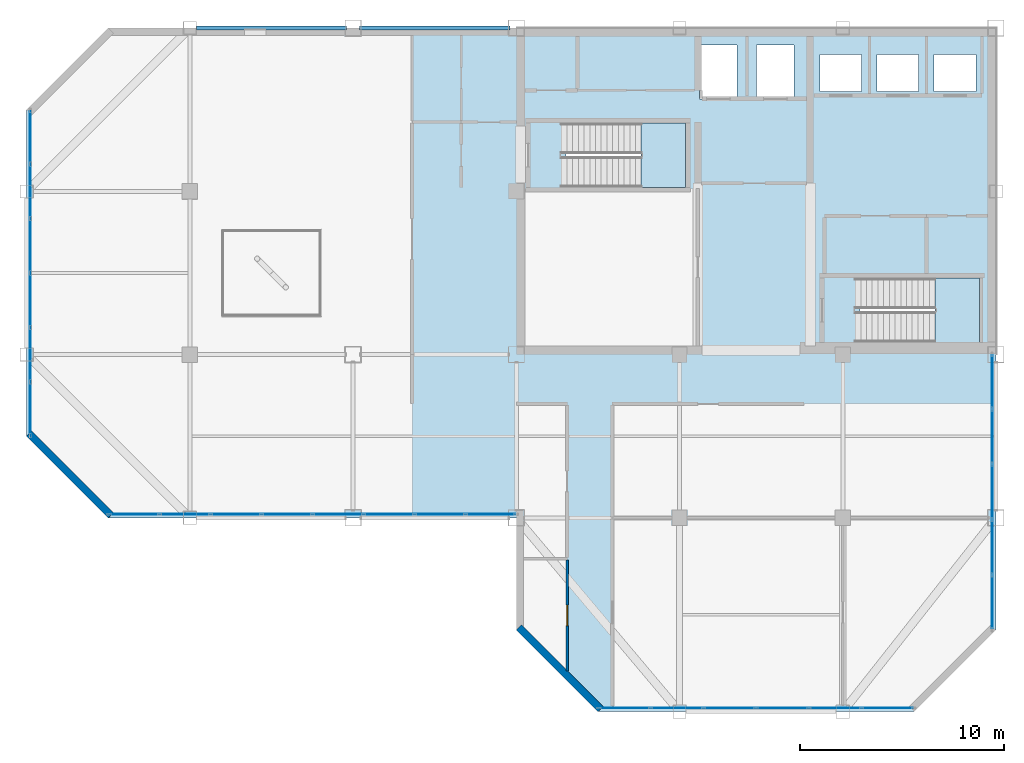
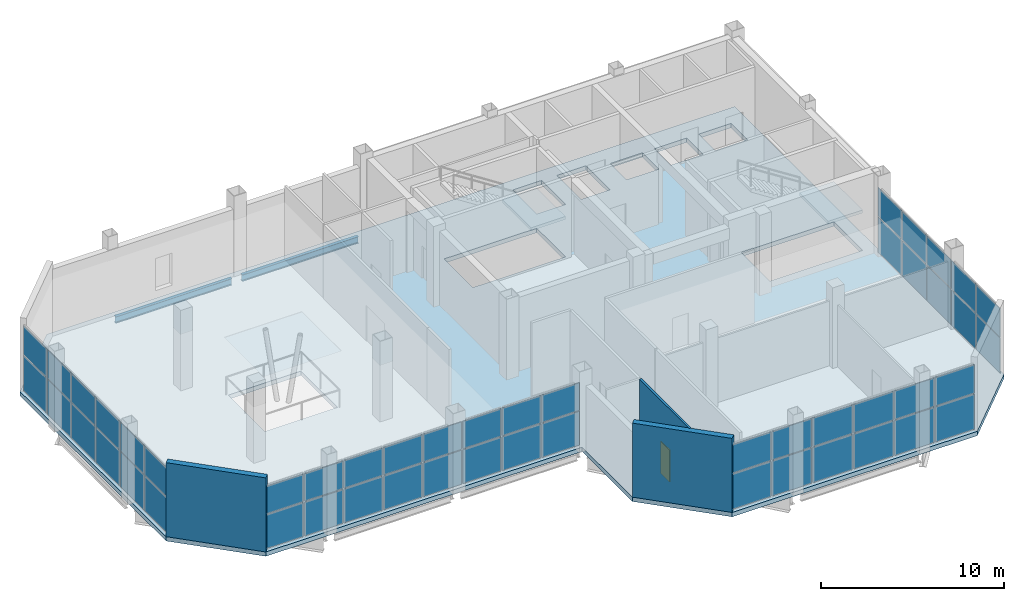
# One storey, part 11 of 16: 50 plates, 3 slabs, 3 walls, 2 beams, 1 door, 1 opening, 6 elements without a shape of their own.
"""IFC4 building model written with IfcOpenShell, lengths in metres."""

from ifc_helpers import new_model, si_unit, direction, frame, frame_2d, origin, origin_2d, place, context, subcontext, project, spatial, polyline, rectangle, i_section, outline, extrude, material, layer, layer_set, material_profile, profile_set, type_object, element, fill, aggregate, save


model = new_model("IFC4")

# Units and contexts
model_context = context("Model", 3, precision=1e-05, world=origin(), true_north=direction((0.0, 1.0)))
body_context = subcontext(model_context, "Body", "Model", "MODEL_VIEW")
ifc_project = project(units=[si_unit("LENGTHUNIT", "METRE"), si_unit("AREAUNIT", "SQUARE_METRE"), si_unit("VOLUMEUNIT", "CUBIC_METRE"), si_unit("PLANEANGLEUNIT", "RADIAN"), si_unit("MASSUNIT", "GRAM", prefix="KILO")], contexts=[model_context])

# Site, building, storey
site_placement = place(None, origin())
site = spatial("IfcSite", under=ifc_project, at=site_placement, CompositionType="ELEMENT")
building_placement = place(site_placement, origin())
building = spatial("IfcBuilding", under=site, at=building_placement, Name="Qianrong Seaharbour Tower", CompositionType="ELEMENT")
storey_placement = place(building_placement, frame((0.0, 0.0, 378.39990234375)))
storey = spatial("IfcBuildingStorey", under=building, at=storey_placement, Name="L91", CompositionType="ELEMENT", Elevation=378.39990234375)

# Beams
ifc_material_1 = material(Name="Structural steel SN400B", Category="steel")
ifc_material_profile = material_profile(ifc_material_1, i_section(OverallWidth=0.199951171875, OverallDepth=0.449951171875, WebThickness=0.009033203125, FlangeThickness=0.013916015625, FilletRadius=0.01806640625, at=origin_2d()), Name="H450x200x9x14")
ifc_profile_set = profile_set([ifc_material_profile], Name="Structural steel SN400B")
beam_type = type_object("IfcBeamType", Name="BM-SP-450", PredefinedType="SPANDREL", material=ifc_profile_set)
for number, where, z_axis, x_axis, name in (
    (1, (24.820068359375, 52.0, -0.514892578125), (1.0, 0.0, 0.0), (0.0, 1.0, 0.0), "L91 Spandrel Girder GH G4-G5"),
    (2, (32.820068359375, 52.0, -0.514892578125), (1.0, 0.0, 0.0), (0.0, 1.0, 0.0), "L91 Spandrel Girder GH G5-G6"),
):
    element("IfcBeam", number, at=place(storey_placement, frame(where, z_axis=z_axis, x_axis=x_axis)), inside=storey, type_object=beam_type, Name=name, PredefinedType="SPANDREL", context=body_context, shape_type="SweptSolid", body=[
        extrude(i_section(OverallWidth=0.199951171875, OverallDepth=0.449951171875, WebThickness=0.009033203125, FlangeThickness=0.013916015625, FilletRadius=0.01806640625, at=origin_2d()), origin(), (0.0, 0.0, 1.0), 7.35986328125),
    ])

# Curtain wall, plates
ifc_material_2 = material(Name="Anodised aluminium 6063-T6 and laminated low-e glass", Category="aluminium")
ifc_layer_1 = layer(ifc_material_2, 0.239990234375)
ifc_layer_set_1 = layer_set([ifc_layer_1], Name="Anodised aluminium 6063-T6 and laminated low-e glass")
curtain_wall_type = type_object("IfcCurtainWallType", Name="CW-SYS-6", PredefinedType="NOTDEFINED", material=ifc_layer_set_1)
curtain_wall_1_placement = place(storey_placement, origin())
curtain_wall_1 = element("IfcCurtainWall", 3, at=curtain_wall_1_placement, inside=storey, type_object=curtain_wall_type, Name="L91 TMD Exhibition Lantern Translucent Curtain Wall HARBOUR_RIBBON", PredefinedType="NOTDEFINED")
ifc_material_3 = material(Name="Translucent frosted laminated lantern glass", Category="glass")
ifc_layer_2 = layer(ifc_material_3, 0.0380859375)
ifc_layer_set_2 = layer_set([ifc_layer_2], Name="Translucent frosted laminated lantern glass")
plate_type = type_object("IfcPlateType", Name="CW-PAN-LANTERN-38", PredefinedType="CURTAIN_PANEL", material=ifc_layer_set_2)
plate_1_placement = place(storey_placement, frame((39.248779296875, 28.179931640625, 0.0703125), z_axis=(0.0, 0.0, 1.0), x_axis=(-1.0, 0.0, 0.0)))
plate_1 = element("IfcPlate", 4, at=plate_1_placement, type_object=plate_type, Name="CW-6 panel 1.1", PredefinedType="CURTAIN_PANEL", context=body_context, shape_type="SweptSolid", body=[
    extrude(rectangle(XDim=2.382568359375, YDim=0.0380859375, at=origin_2d()), origin(), (0.0, 0.0, 1.0), 2.265380859375),
])
plate_2_placement = place(storey_placement, frame((39.248779296875, 28.179931640625, 2.405517578125), z_axis=(0.0, 0.0, 1.0), x_axis=(-1.0, 0.0, 0.0)))
plate_2 = element("IfcPlate", 5, at=plate_2_placement, type_object=plate_type, Name="CW-6 panel 1.2", PredefinedType="CURTAIN_PANEL", context=body_context, shape_type="SweptSolid", body=[
    extrude(rectangle(XDim=2.382568359375, YDim=0.0380859375, at=origin_2d()), origin(), (0.0, 0.0, 1.0), 1.83447265625),
])
plate_3_placement = place(storey_placement, frame((36.766357421875, 28.179931640625, 0.0703125), z_axis=(0.0, 0.0, 1.0), x_axis=(-1.0, 0.0, 0.0)))
plate_3 = element("IfcPlate", 6, at=plate_3_placement, type_object=plate_type, Name="CW-6 panel 2.1", PredefinedType="CURTAIN_PANEL", context=body_context, shape_type="SweptSolid", body=[
    extrude(rectangle(XDim=2.422607421875, YDim=0.0380859375, at=origin_2d()), origin(), (0.0, 0.0, 1.0), 2.265380859375),
])
plate_4_placement = place(storey_placement, frame((36.766357421875, 28.179931640625, 2.405517578125), z_axis=(0.0, 0.0, 1.0), x_axis=(-1.0, 0.0, 0.0)))
plate_4 = element("IfcPlate", 7, at=plate_4_placement, type_object=plate_type, Name="CW-6 panel 2.2", PredefinedType="CURTAIN_PANEL", context=body_context, shape_type="SweptSolid", body=[
    extrude(rectangle(XDim=2.422607421875, YDim=0.0380859375, at=origin_2d()), origin(), (0.0, 0.0, 1.0), 1.83447265625),
])
plate_5_placement = place(storey_placement, frame((34.263671875, 28.179931640625, 0.0703125), z_axis=(0.0, 0.0, 1.0), x_axis=(-1.0, 0.0, 0.0)))
plate_5 = element("IfcPlate", 8, at=plate_5_placement, type_object=plate_type, Name="CW-6 panel 3.1", PredefinedType="CURTAIN_PANEL", context=body_context, shape_type="SweptSolid", body=[
    extrude(rectangle(XDim=2.422607421875, YDim=0.0380859375, at=origin_2d()), origin(), (0.0, 0.0, 1.0), 2.265380859375),
])
plate_6_placement = place(storey_placement, frame((34.263671875, 28.179931640625, 2.405517578125), z_axis=(0.0, 0.0, 1.0), x_axis=(-1.0, 0.0, 0.0)))
plate_6 = element("IfcPlate", 9, at=plate_6_placement, type_object=plate_type, Name="CW-6 panel 3.2", PredefinedType="CURTAIN_PANEL", context=body_context, shape_type="SweptSolid", body=[
    extrude(rectangle(XDim=2.422607421875, YDim=0.0380859375, at=origin_2d()), origin(), (0.0, 0.0, 1.0), 1.83447265625),
])
plate_7_placement = place(storey_placement, frame((31.76123046875, 28.179931640625, 0.0703125), z_axis=(0.0, 0.0, 1.0), x_axis=(-1.0, 0.0, 0.0)))
plate_7 = element("IfcPlate", 10, at=plate_7_placement, type_object=plate_type, Name="CW-6 panel 4.1", PredefinedType="CURTAIN_PANEL", context=body_context, shape_type="SweptSolid", body=[
    extrude(rectangle(XDim=2.422607421875, YDim=0.0380859375, at=origin_2d()), origin(), (0.0, 0.0, 1.0), 2.265380859375),
])
plate_8_placement = place(storey_placement, frame((31.76123046875, 28.179931640625, 2.405517578125), z_axis=(0.0, 0.0, 1.0), x_axis=(-1.0, 0.0, 0.0)))
plate_8 = element("IfcPlate", 11, at=plate_8_placement, type_object=plate_type, Name="CW-6 panel 4.2", PredefinedType="CURTAIN_PANEL", context=body_context, shape_type="SweptSolid", body=[
    extrude(rectangle(XDim=2.422607421875, YDim=0.0380859375, at=origin_2d()), origin(), (0.0, 0.0, 1.0), 1.83447265625),
])
plate_9_placement = place(storey_placement, frame((29.2587890625, 28.179931640625, 0.0703125), z_axis=(0.0, 0.0, 1.0), x_axis=(-1.0, 0.0, 0.0)))
plate_9 = element("IfcPlate", 12, at=plate_9_placement, type_object=plate_type, Name="CW-6 panel 5.1", PredefinedType="CURTAIN_PANEL", context=body_context, shape_type="SweptSolid", body=[
    extrude(rectangle(XDim=2.422607421875, YDim=0.0380859375, at=origin_2d()), origin(), (0.0, 0.0, 1.0), 2.265380859375),
])
plate_10_placement = place(storey_placement, frame((29.2587890625, 28.179931640625, 2.405517578125), z_axis=(0.0, 0.0, 1.0), x_axis=(-1.0, 0.0, 0.0)))
plate_10 = element("IfcPlate", 13, at=plate_10_placement, type_object=plate_type, Name="CW-6 panel 5.2", PredefinedType="CURTAIN_PANEL", context=body_context, shape_type="SweptSolid", body=[
    extrude(rectangle(XDim=2.422607421875, YDim=0.0380859375, at=origin_2d()), origin(), (0.0, 0.0, 1.0), 1.83447265625),
])
plate_11_placement = place(storey_placement, frame((26.75634765625, 28.179931640625, 0.0703125), z_axis=(0.0, 0.0, 1.0), x_axis=(-1.0, 0.0, 0.0)))
plate_11 = element("IfcPlate", 14, at=plate_11_placement, type_object=plate_type, Name="CW-6 panel 6.1", PredefinedType="CURTAIN_PANEL", context=body_context, shape_type="SweptSolid", body=[
    extrude(rectangle(XDim=2.422607421875, YDim=0.0380859375, at=origin_2d()), origin(), (0.0, 0.0, 1.0), 2.265380859375),
])
plate_12_placement = place(storey_placement, frame((26.75634765625, 28.179931640625, 2.405517578125), z_axis=(0.0, 0.0, 1.0), x_axis=(-1.0, 0.0, 0.0)))
plate_12 = element("IfcPlate", 15, at=plate_12_placement, type_object=plate_type, Name="CW-6 panel 6.2", PredefinedType="CURTAIN_PANEL", context=body_context, shape_type="SweptSolid", body=[
    extrude(rectangle(XDim=2.422607421875, YDim=0.0380859375, at=origin_2d()), origin(), (0.0, 0.0, 1.0), 1.83447265625),
])
plate_13_placement = place(storey_placement, frame((24.253662109375, 28.179931640625, 0.0703125), z_axis=(0.0, 0.0, 1.0), x_axis=(-1.0, 0.0, 0.0)))
plate_13 = element("IfcPlate", 16, at=plate_13_placement, type_object=plate_type, Name="CW-6 panel 7.1", PredefinedType="CURTAIN_PANEL", context=body_context, shape_type="SweptSolid", body=[
    extrude(rectangle(XDim=2.422607421875, YDim=0.0380859375, at=origin_2d()), origin(), (0.0, 0.0, 1.0), 2.265380859375),
])
plate_14_placement = place(storey_placement, frame((24.253662109375, 28.179931640625, 2.405517578125), z_axis=(0.0, 0.0, 1.0), x_axis=(-1.0, 0.0, 0.0)))
plate_14 = element("IfcPlate", 17, at=plate_14_placement, type_object=plate_type, Name="CW-6 panel 7.2", PredefinedType="CURTAIN_PANEL", context=body_context, shape_type="SweptSolid", body=[
    extrude(rectangle(XDim=2.422607421875, YDim=0.0380859375, at=origin_2d()), origin(), (0.0, 0.0, 1.0), 1.83447265625),
])
plate_15_placement = place(storey_placement, frame((21.771240234375, 28.179931640625, 0.0703125), z_axis=(0.0, 0.0, 1.0), x_axis=(-1.0, 0.0, 0.0)))
plate_15 = element("IfcPlate", 18, at=plate_15_placement, type_object=plate_type, Name="CW-6 panel 8.1", PredefinedType="CURTAIN_PANEL", context=body_context, shape_type="SweptSolid", body=[
    extrude(rectangle(XDim=2.382568359375, YDim=0.0380859375, at=origin_2d()), origin(), (0.0, 0.0, 1.0), 2.265380859375),
])
plate_16_placement = place(storey_placement, frame((21.771240234375, 28.179931640625, 2.405517578125), z_axis=(0.0, 0.0, 1.0), x_axis=(-1.0, 0.0, 0.0)))
plate_16 = element("IfcPlate", 19, at=plate_16_placement, type_object=plate_type, Name="CW-6 panel 8.2", PredefinedType="CURTAIN_PANEL", context=body_context, shape_type="SweptSolid", body=[
    extrude(rectangle(XDim=2.382568359375, YDim=0.0380859375, at=origin_2d()), origin(), (0.0, 0.0, 1.0), 1.83447265625),
])
aggregate(curtain_wall_1, [plate_1, plate_2, plate_3, plate_4, plate_5, plate_6, plate_7, plate_8, plate_9, plate_10, plate_11, plate_12, plate_13, plate_14, plate_15, plate_16])

curtain_wall_2_placement = place(storey_placement, origin())
curtain_wall_2 = element("IfcCurtainWall", 20, at=curtain_wall_2_placement, inside=storey, type_object=curtain_wall_type, Name="L91 TMD Exhibition Lantern Translucent Curtain Wall WEST_TIP", PredefinedType="NOTDEFINED")
plate_17_placement = place(storey_placement, frame((16.679931640625, 33.353271484375, 0.0703125), z_axis=(0.0, 0.0, 1.0), x_axis=(0.0, 1.0, 0.0)))
plate_17 = element("IfcPlate", 21, at=plate_17_placement, type_object=plate_type, Name="CW-6 panel 1.1", PredefinedType="CURTAIN_PANEL", context=body_context, shape_type="SweptSolid", body=[
    extrude(rectangle(XDim=2.546630859375, YDim=0.0380859375, at=origin_2d()), origin(), (0.0, 0.0, 1.0), 2.347900390625),
])
plate_18_placement = place(storey_placement, frame((16.679931640625, 33.353271484375, 2.48828125), z_axis=(0.0, 0.0, 1.0), x_axis=(0.0, 1.0, 0.0)))
plate_18 = element("IfcPlate", 22, at=plate_18_placement, type_object=plate_type, Name="CW-6 panel 1.2", PredefinedType="CURTAIN_PANEL", context=body_context, shape_type="SweptSolid", body=[
    extrude(rectangle(XDim=2.546630859375, YDim=0.0380859375, at=origin_2d()), origin(), (0.0, 0.0, 1.0), 1.902099609375),
])
plate_19_placement = place(storey_placement, frame((16.679931640625, 36.0, 0.0703125), z_axis=(0.0, 0.0, 1.0), x_axis=(0.0, 1.0, 0.0)))
plate_19 = element("IfcPlate", 23, at=plate_19_placement, type_object=plate_type, Name="CW-6 panel 2.1", PredefinedType="CURTAIN_PANEL", context=body_context, shape_type="SweptSolid", body=[
    extrude(rectangle(XDim=2.586669921875, YDim=0.0380859375, at=origin_2d()), origin(), (0.0, 0.0, 1.0), 2.347900390625),
])
plate_20_placement = place(storey_placement, frame((16.679931640625, 36.0, 2.48828125), z_axis=(0.0, 0.0, 1.0), x_axis=(0.0, 1.0, 0.0)))
plate_20 = element("IfcPlate", 24, at=plate_20_placement, type_object=plate_type, Name="CW-6 panel 2.2", PredefinedType="CURTAIN_PANEL", context=body_context, shape_type="SweptSolid", body=[
    extrude(rectangle(XDim=2.586669921875, YDim=0.0380859375, at=origin_2d()), origin(), (0.0, 0.0, 1.0), 1.902099609375),
])
plate_21_placement = place(storey_placement, frame((16.679931640625, 38.666748046875, 0.0703125), z_axis=(0.0, 0.0, 1.0), x_axis=(0.0, 1.0, 0.0)))
plate_21 = element("IfcPlate", 25, at=plate_21_placement, type_object=plate_type, Name="CW-6 panel 3.1", PredefinedType="CURTAIN_PANEL", context=body_context, shape_type="SweptSolid", body=[
    extrude(rectangle(XDim=2.586669921875, YDim=0.0380859375, at=origin_2d()), origin(), (0.0, 0.0, 1.0), 2.347900390625),
])
plate_22_placement = place(storey_placement, frame((16.679931640625, 38.666748046875, 2.48828125), z_axis=(0.0, 0.0, 1.0), x_axis=(0.0, 1.0, 0.0)))
plate_22 = element("IfcPlate", 26, at=plate_22_placement, type_object=plate_type, Name="CW-6 panel 3.2", PredefinedType="CURTAIN_PANEL", context=body_context, shape_type="SweptSolid", body=[
    extrude(rectangle(XDim=2.586669921875, YDim=0.0380859375, at=origin_2d()), origin(), (0.0, 0.0, 1.0), 1.902099609375),
])
plate_23_placement = place(storey_placement, frame((16.679931640625, 41.333251953125, 0.0703125), z_axis=(0.0, 0.0, 1.0), x_axis=(0.0, 1.0, 0.0)))
plate_23 = element("IfcPlate", 27, at=plate_23_placement, type_object=plate_type, Name="CW-6 panel 4.1", PredefinedType="CURTAIN_PANEL", context=body_context, shape_type="SweptSolid", body=[
    extrude(rectangle(XDim=2.586669921875, YDim=0.0380859375, at=origin_2d()), origin(), (0.0, 0.0, 1.0), 2.347900390625),
])
plate_24_placement = place(storey_placement, frame((16.679931640625, 41.333251953125, 2.48828125), z_axis=(0.0, 0.0, 1.0), x_axis=(0.0, 1.0, 0.0)))
plate_24 = element("IfcPlate", 28, at=plate_24_placement, type_object=plate_type, Name="CW-6 panel 4.2", PredefinedType="CURTAIN_PANEL", context=body_context, shape_type="SweptSolid", body=[
    extrude(rectangle(XDim=2.586669921875, YDim=0.0380859375, at=origin_2d()), origin(), (0.0, 0.0, 1.0), 1.902099609375),
])
plate_25_placement = place(storey_placement, frame((16.679931640625, 44.0, 0.0703125), z_axis=(0.0, 0.0, 1.0), x_axis=(0.0, 1.0, 0.0)))
plate_25 = element("IfcPlate", 29, at=plate_25_placement, type_object=plate_type, Name="CW-6 panel 5.1", PredefinedType="CURTAIN_PANEL", context=body_context, shape_type="SweptSolid", body=[
    extrude(rectangle(XDim=2.586669921875, YDim=0.0380859375, at=origin_2d()), origin(), (0.0, 0.0, 1.0), 2.347900390625),
])
plate_26_placement = place(storey_placement, frame((16.679931640625, 44.0, 2.48828125), z_axis=(0.0, 0.0, 1.0), x_axis=(0.0, 1.0, 0.0)))
plate_26 = element("IfcPlate", 30, at=plate_26_placement, type_object=plate_type, Name="CW-6 panel 5.2", PredefinedType="CURTAIN_PANEL", context=body_context, shape_type="SweptSolid", body=[
    extrude(rectangle(XDim=2.586669921875, YDim=0.0380859375, at=origin_2d()), origin(), (0.0, 0.0, 1.0), 1.902099609375),
])
plate_27_placement = place(storey_placement, frame((16.679931640625, 46.646728515625, 0.0703125), z_axis=(0.0, 0.0, 1.0), x_axis=(0.0, 1.0, 0.0)))
plate_27 = element("IfcPlate", 31, at=plate_27_placement, type_object=plate_type, Name="CW-6 panel 6.1", PredefinedType="CURTAIN_PANEL", context=body_context, shape_type="SweptSolid", body=[
    extrude(rectangle(XDim=2.546630859375, YDim=0.0380859375, at=origin_2d()), origin(), (0.0, 0.0, 1.0), 2.347900390625),
])
plate_28_placement = place(storey_placement, frame((16.679931640625, 46.646728515625, 2.48828125), z_axis=(0.0, 0.0, 1.0), x_axis=(0.0, 1.0, 0.0)))
plate_28 = element("IfcPlate", 32, at=plate_28_placement, type_object=plate_type, Name="CW-6 panel 6.2", PredefinedType="CURTAIN_PANEL", context=body_context, shape_type="SweptSolid", body=[
    extrude(rectangle(XDim=2.546630859375, YDim=0.0380859375, at=origin_2d()), origin(), (0.0, 0.0, 1.0), 1.902099609375),
])
aggregate(curtain_wall_2, [plate_17, plate_18, plate_19, plate_20, plate_21, plate_22, plate_23, plate_24, plate_25, plate_26, plate_27, plate_28])

curtain_wall_3_placement = place(storey_placement, origin())
curtain_wall_3 = element("IfcCurtainWall", 33, at=curtain_wall_3_placement, inside=storey, type_object=curtain_wall_type, Name="L91 TMD Exhibition Lantern Translucent Curtain Wall EAST_WING", PredefinedType="NOTDEFINED")
plate_29_placement = place(storey_placement, frame((63.820068359375, 34.675048828125, 0.0703125), z_axis=(0.0, 0.0, 1.0), x_axis=(0.0, -1.0, 0.0)))
plate_29 = element("IfcPlate", 34, at=plate_29_placement, type_object=plate_type, Name="CW-6 panel 1.1", PredefinedType="CURTAIN_PANEL", context=body_context, shape_type="SweptSolid", body=[
    extrude(rectangle(XDim=2.590087890625, YDim=0.0380859375, at=origin_2d()), origin(), (0.0, 0.0, 1.0), 2.347900390625),
])
plate_30_placement = place(storey_placement, frame((63.820068359375, 34.675048828125, 2.48828125), z_axis=(0.0, 0.0, 1.0), x_axis=(0.0, -1.0, 0.0)))
plate_30 = element("IfcPlate", 35, at=plate_30_placement, type_object=plate_type, Name="CW-6 panel 1.2", PredefinedType="CURTAIN_PANEL", context=body_context, shape_type="SweptSolid", body=[
    extrude(rectangle(XDim=2.590087890625, YDim=0.0380859375, at=origin_2d()), origin(), (0.0, 0.0, 1.0), 1.902099609375),
])
plate_31_placement = place(storey_placement, frame((63.820068359375, 31.985107421875, 0.0703125), z_axis=(0.0, 0.0, 1.0), x_axis=(0.0, -1.0, 0.0)))
plate_31 = element("IfcPlate", 36, at=plate_31_placement, type_object=plate_type, Name="CW-6 panel 2.1", PredefinedType="CURTAIN_PANEL", context=body_context, shape_type="SweptSolid", body=[
    extrude(rectangle(XDim=2.6298828125, YDim=0.0380859375, at=origin_2d()), origin(), (0.0, 0.0, 1.0), 2.347900390625),
])
plate_32_placement = place(storey_placement, frame((63.820068359375, 31.985107421875, 2.48828125), z_axis=(0.0, 0.0, 1.0), x_axis=(0.0, -1.0, 0.0)))
plate_32 = element("IfcPlate", 37, at=plate_32_placement, type_object=plate_type, Name="CW-6 panel 2.2", PredefinedType="CURTAIN_PANEL", context=body_context, shape_type="SweptSolid", body=[
    extrude(rectangle(XDim=2.6298828125, YDim=0.0380859375, at=origin_2d()), origin(), (0.0, 0.0, 1.0), 1.902099609375),
])
plate_33_placement = place(storey_placement, frame((63.820068359375, 29.27490234375, 0.0703125), z_axis=(0.0, 0.0, 1.0), x_axis=(0.0, -1.0, 0.0)))
plate_33 = element("IfcPlate", 38, at=plate_33_placement, type_object=plate_type, Name="CW-6 panel 3.1", PredefinedType="CURTAIN_PANEL", context=body_context, shape_type="SweptSolid", body=[
    extrude(rectangle(XDim=2.6298828125, YDim=0.0380859375, at=origin_2d()), origin(), (0.0, 0.0, 1.0), 2.347900390625),
])
plate_34_placement = place(storey_placement, frame((63.820068359375, 29.27490234375, 2.48828125), z_axis=(0.0, 0.0, 1.0), x_axis=(0.0, -1.0, 0.0)))
plate_34 = element("IfcPlate", 39, at=plate_34_placement, type_object=plate_type, Name="CW-6 panel 3.2", PredefinedType="CURTAIN_PANEL", context=body_context, shape_type="SweptSolid", body=[
    extrude(rectangle(XDim=2.6298828125, YDim=0.0380859375, at=origin_2d()), origin(), (0.0, 0.0, 1.0), 1.902099609375),
])
plate_35_placement = place(storey_placement, frame((63.820068359375, 26.56494140625, 0.0703125), z_axis=(0.0, 0.0, 1.0), x_axis=(0.0, -1.0, 0.0)))
plate_35 = element("IfcPlate", 40, at=plate_35_placement, type_object=plate_type, Name="CW-6 panel 4.1", PredefinedType="CURTAIN_PANEL", context=body_context, shape_type="SweptSolid", body=[
    extrude(rectangle(XDim=2.6298828125, YDim=0.0380859375, at=origin_2d()), origin(), (0.0, 0.0, 1.0), 2.347900390625),
])
plate_36_placement = place(storey_placement, frame((63.820068359375, 26.56494140625, 2.48828125), z_axis=(0.0, 0.0, 1.0), x_axis=(0.0, -1.0, 0.0)))
plate_36 = element("IfcPlate", 41, at=plate_36_placement, type_object=plate_type, Name="CW-6 panel 4.2", PredefinedType="CURTAIN_PANEL", context=body_context, shape_type="SweptSolid", body=[
    extrude(rectangle(XDim=2.6298828125, YDim=0.0380859375, at=origin_2d()), origin(), (0.0, 0.0, 1.0), 1.902099609375),
])
plate_37_placement = place(storey_placement, frame((63.820068359375, 23.875, 0.0703125), z_axis=(0.0, 0.0, 1.0), x_axis=(0.0, -1.0, 0.0)))
plate_37 = element("IfcPlate", 42, at=plate_37_placement, type_object=plate_type, Name="CW-6 panel 5.1", PredefinedType="CURTAIN_PANEL", context=body_context, shape_type="SweptSolid", body=[
    extrude(rectangle(XDim=2.590087890625, YDim=0.0380859375, at=origin_2d()), origin(), (0.0, 0.0, 1.0), 2.347900390625),
])
plate_38_placement = place(storey_placement, frame((63.820068359375, 23.875, 2.48828125), z_axis=(0.0, 0.0, 1.0), x_axis=(0.0, -1.0, 0.0)))
plate_38 = element("IfcPlate", 43, at=plate_38_placement, type_object=plate_type, Name="CW-6 panel 5.2", PredefinedType="CURTAIN_PANEL", context=body_context, shape_type="SweptSolid", body=[
    extrude(rectangle(XDim=2.590087890625, YDim=0.0380859375, at=origin_2d()), origin(), (0.0, 0.0, 1.0), 1.902099609375),
])
aggregate(curtain_wall_3, [plate_29, plate_30, plate_31, plate_32, plate_33, plate_34, plate_35, plate_36, plate_37, plate_38])

curtain_wall_4_placement = place(storey_placement, origin())
curtain_wall_4 = element("IfcCurtainWall", 44, at=curtain_wall_4_placement, inside=storey, type_object=curtain_wall_type, Name="L91 TMD Exhibition Lantern Translucent Curtain Wall SOUTH_TIP", PredefinedType="NOTDEFINED")
plate_39_placement = place(storey_placement, frame((58.688232421875, 18.679931640625, 0.0703125), z_axis=(0.0, 0.0, 1.0), x_axis=(-1.0, 0.0, 0.0)))
plate_39 = element("IfcPlate", 45, at=plate_39_placement, type_object=plate_type, Name="CW-6 panel 1.1", PredefinedType="CURTAIN_PANEL", context=body_context, shape_type="SweptSolid", body=[
    extrude(rectangle(XDim=2.46337890625, YDim=0.0380859375, at=origin_2d()), origin(), (0.0, 0.0, 1.0), 2.347900390625),
])
plate_40_placement = place(storey_placement, frame((58.688232421875, 18.679931640625, 2.48828125), z_axis=(0.0, 0.0, 1.0), x_axis=(-1.0, 0.0, 0.0)))
plate_40 = element("IfcPlate", 46, at=plate_40_placement, type_object=plate_type, Name="CW-6 panel 1.2", PredefinedType="CURTAIN_PANEL", context=body_context, shape_type="SweptSolid", body=[
    extrude(rectangle(XDim=2.46337890625, YDim=0.0380859375, at=origin_2d()), origin(), (0.0, 0.0, 1.0), 1.902099609375),
])
plate_41_placement = place(storey_placement, frame((56.125, 18.679931640625, 0.0703125), z_axis=(0.0, 0.0, 1.0), x_axis=(-1.0, 0.0, 0.0)))
plate_41 = element("IfcPlate", 47, at=plate_41_placement, type_object=plate_type, Name="CW-6 panel 2.1", PredefinedType="CURTAIN_PANEL", context=body_context, shape_type="SweptSolid", body=[
    extrude(rectangle(XDim=2.50341796875, YDim=0.0380859375, at=origin_2d()), origin(), (0.0, 0.0, 1.0), 2.347900390625),
])
plate_42_placement = place(storey_placement, frame((56.125, 18.679931640625, 2.48828125), z_axis=(0.0, 0.0, 1.0), x_axis=(-1.0, 0.0, 0.0)))
plate_42 = element("IfcPlate", 48, at=plate_42_placement, type_object=plate_type, Name="CW-6 panel 2.2", PredefinedType="CURTAIN_PANEL", context=body_context, shape_type="SweptSolid", body=[
    extrude(rectangle(XDim=2.50341796875, YDim=0.0380859375, at=origin_2d()), origin(), (0.0, 0.0, 1.0), 1.902099609375),
])
plate_43_placement = place(storey_placement, frame((53.541748046875, 18.679931640625, 0.0703125), z_axis=(0.0, 0.0, 1.0), x_axis=(-1.0, 0.0, 0.0)))
plate_43 = element("IfcPlate", 49, at=plate_43_placement, type_object=plate_type, Name="CW-6 panel 3.1", PredefinedType="CURTAIN_PANEL", context=body_context, shape_type="SweptSolid", body=[
    extrude(rectangle(XDim=2.50341796875, YDim=0.0380859375, at=origin_2d()), origin(), (0.0, 0.0, 1.0), 2.347900390625),
])
plate_44_placement = place(storey_placement, frame((53.541748046875, 18.679931640625, 2.48828125), z_axis=(0.0, 0.0, 1.0), x_axis=(-1.0, 0.0, 0.0)))
plate_44 = element("IfcPlate", 50, at=plate_44_placement, type_object=plate_type, Name="CW-6 panel 3.2", PredefinedType="CURTAIN_PANEL", context=body_context, shape_type="SweptSolid", body=[
    extrude(rectangle(XDim=2.50341796875, YDim=0.0380859375, at=origin_2d()), origin(), (0.0, 0.0, 1.0), 1.902099609375),
])
plate_45_placement = place(storey_placement, frame((50.958251953125, 18.679931640625, 0.0703125), z_axis=(0.0, 0.0, 1.0), x_axis=(-1.0, 0.0, 0.0)))
plate_45 = element("IfcPlate", 51, at=plate_45_placement, type_object=plate_type, Name="CW-6 panel 4.1", PredefinedType="CURTAIN_PANEL", context=body_context, shape_type="SweptSolid", body=[
    extrude(rectangle(XDim=2.50341796875, YDim=0.0380859375, at=origin_2d()), origin(), (0.0, 0.0, 1.0), 2.347900390625),
])
plate_46_placement = place(storey_placement, frame((50.958251953125, 18.679931640625, 2.48828125), z_axis=(0.0, 0.0, 1.0), x_axis=(-1.0, 0.0, 0.0)))
plate_46 = element("IfcPlate", 52, at=plate_46_placement, type_object=plate_type, Name="CW-6 panel 4.2", PredefinedType="CURTAIN_PANEL", context=body_context, shape_type="SweptSolid", body=[
    extrude(rectangle(XDim=2.50341796875, YDim=0.0380859375, at=origin_2d()), origin(), (0.0, 0.0, 1.0), 1.902099609375),
])
plate_47_placement = place(storey_placement, frame((48.375, 18.679931640625, 0.0703125), z_axis=(0.0, 0.0, 1.0), x_axis=(-1.0, 0.0, 0.0)))
plate_47 = element("IfcPlate", 53, at=plate_47_placement, type_object=plate_type, Name="CW-6 panel 5.1", PredefinedType="CURTAIN_PANEL", context=body_context, shape_type="SweptSolid", body=[
    extrude(rectangle(XDim=2.50341796875, YDim=0.0380859375, at=origin_2d()), origin(), (0.0, 0.0, 1.0), 2.347900390625),
])
plate_48_placement = place(storey_placement, frame((48.375, 18.679931640625, 2.48828125), z_axis=(0.0, 0.0, 1.0), x_axis=(-1.0, 0.0, 0.0)))
plate_48 = element("IfcPlate", 54, at=plate_48_placement, type_object=plate_type, Name="CW-6 panel 5.2", PredefinedType="CURTAIN_PANEL", context=body_context, shape_type="SweptSolid", body=[
    extrude(rectangle(XDim=2.50341796875, YDim=0.0380859375, at=origin_2d()), origin(), (0.0, 0.0, 1.0), 1.902099609375),
])
plate_49_placement = place(storey_placement, frame((45.811767578125, 18.679931640625, 0.0703125), z_axis=(0.0, 0.0, 1.0), x_axis=(-1.0, 0.0, 0.0)))
plate_49 = element("IfcPlate", 55, at=plate_49_placement, type_object=plate_type, Name="CW-6 panel 6.1", PredefinedType="CURTAIN_PANEL", context=body_context, shape_type="SweptSolid", body=[
    extrude(rectangle(XDim=2.46337890625, YDim=0.0380859375, at=origin_2d()), origin(), (0.0, 0.0, 1.0), 2.347900390625),
])
plate_50_placement = place(storey_placement, frame((45.811767578125, 18.679931640625, 2.48828125), z_axis=(0.0, 0.0, 1.0), x_axis=(-1.0, 0.0, 0.0)))
plate_50 = element("IfcPlate", 56, at=plate_50_placement, type_object=plate_type, Name="CW-6 panel 6.2", PredefinedType="CURTAIN_PANEL", context=body_context, shape_type="SweptSolid", body=[
    extrude(rectangle(XDim=2.46337890625, YDim=0.0380859375, at=origin_2d()), origin(), (0.0, 0.0, 1.0), 1.902099609375),
])
aggregate(curtain_wall_4, [plate_39, plate_40, plate_41, plate_42, plate_43, plate_44, plate_45, plate_46, plate_47, plate_48, plate_49, plate_50])

# Slab
ifc_material_4 = material(Name="Concrete C50/60", Category="concrete")
ifc_layer_3 = layer(ifc_material_4, 0.2900390625)
ifc_layer_set_3 = layer_set([ifc_layer_3], Name="Concrete C50/60")
slab_type_1 = type_object("IfcSlabType", Name="SLAB-L91-290", PredefinedType="FLOOR", material=ifc_layer_set_3)
slab_1_placement = place(storey_placement, frame((0.0, 0.0, -0.289794921875)))
element("IfcSlab", 57, at=slab_1_placement, inside=storey, type_object=slab_type_1, Name="L91 Structural Floor Slab", PredefinedType="FLOOR", context=body_context, shape_type="SweptSolid", body=[
    extrude(outline(polyline([(44.5, 18.5), (60.0, 18.5), (64.0, 22.5), (64.0, 52.0), (20.5, 52.0), (16.5, 48.0), (16.5, 32.0), (20.5, 28.0), (40.5, 28.0), (40.5, 22.5), (44.5, 18.5)]), holes=[polyline([(42.93994140625, 44.199951171875), (42.93994140625, 47.35009765625), (48.800048828125, 47.35009765625), (48.800048828125, 44.199951171875), (42.93994140625, 44.199951171875)]), polyline([(57.340087890625, 36.60009765625), (57.340087890625, 39.75), (63.199951171875, 39.75), (63.199951171875, 36.60009765625), (57.340087890625, 36.60009765625)]), polyline([(49.47998046875, 48.530029296875), (49.47998046875, 51.169921875), (51.320068359375, 51.169921875), (51.320068359375, 48.530029296875), (49.47998046875, 48.530029296875)]), polyline([(52.280029296875, 48.530029296875), (52.280029296875, 51.169921875), (54.1201171875, 51.169921875), (54.1201171875, 48.530029296875), (52.280029296875, 48.530029296875)]), polyline([(55.3798828125, 48.89990234375), (55.3798828125, 50.699951171875), (57.419921875, 50.699951171875), (57.419921875, 48.89990234375), (55.3798828125, 48.89990234375)]), polyline([(58.179931640625, 48.89990234375), (58.179931640625, 50.699951171875), (60.219970703125, 50.699951171875), (60.219970703125, 48.89990234375), (58.179931640625, 48.89990234375)]), polyline([(60.97998046875, 48.89990234375), (60.97998046875, 50.699951171875), (63.02001953125, 50.699951171875), (63.02001953125, 48.89990234375), (60.97998046875, 48.89990234375)]), polyline([(26.199951171875, 38.0), (30.800048828125, 38.0), (30.800048828125, 42.0), (26.199951171875, 42.0), (26.199951171875, 38.0)])]), origin(), (0.0, 0.0, 1.0), 0.289794921875),
])

# Stair, slab
stair_type = type_object("IfcStairType", Name="STAIR-DOGLEG-1500-R30", PredefinedType="HALF_TURN_STAIR", material=ifc_material_4)
stair_1_placement = place(storey_placement, origin())
stair_1 = element("IfcStair", 58, at=stair_1_placement, inside=storey, type_object=stair_type, Name="L91 Protected Escape Stair ST-1", PredefinedType="HALF_TURN_STAIR")
ifc_layer_4 = layer(ifc_material_4, 0.199951171875)
ifc_layer_set_4 = layer_set([ifc_layer_4], Name="Concrete C50/60")
slab_type_2 = type_object("IfcSlabType", Name="SLAB-STAIR-LANDING-200", PredefinedType="LANDING", material=ifc_layer_set_4)
slab_2_placement = place(storey_placement, frame((0.0, 0.0, 2.5)))
slab_2 = element("IfcSlab", 59, at=slab_2_placement, type_object=slab_type_2, Name="ST-1 landing 1", PredefinedType="LANDING", context=body_context, shape_type="SweptSolid", body=[
    extrude(outline(polyline([(46.6201171875, 44.199951171875), (48.800048828125, 44.199951171875), (48.800048828125, 47.35009765625), (46.6201171875, 47.35009765625), (46.6201171875, 44.199951171875)])), origin(), (0.0, 0.0, 1.0), 0.2001953125),
])
aggregate(stair_1, [slab_2])

stair_2_placement = place(storey_placement, origin())
stair_2 = element("IfcStair", 60, at=stair_2_placement, inside=storey, type_object=stair_type, Name="L91 Protected Escape Stair ST-2", PredefinedType="HALF_TURN_STAIR")
slab_3_placement = place(storey_placement, frame((0.0, 0.0, 2.5)))
slab_3 = element("IfcSlab", 61, at=slab_3_placement, type_object=slab_type_2, Name="ST-2 landing 1", PredefinedType="LANDING", context=body_context, shape_type="SweptSolid", body=[
    extrude(outline(polyline([(61.02001953125, 36.60009765625), (63.199951171875, 36.60009765625), (63.199951171875, 39.75), (61.02001953125, 39.75), (61.02001953125, 36.60009765625)])), origin(), (0.0, 0.0, 1.0), 0.2001953125),
])
aggregate(stair_2, [slab_3])

# Walls
ifc_material_5 = material(Name="Unitised red brick on Precast concrete C45/55", Category="masonry")
ifc_layer_5 = layer(ifc_material_5, 0.360107421875)
ifc_layer_set_5 = layer_set([ifc_layer_5], Name="Unitised red brick on Precast concrete C45/55")
wall_type_1 = type_object("IfcWallType", Name="WALL-EXT-BRICK-RED-360", PredefinedType="SOLIDWALL", material=ifc_layer_set_5)
for number, where, z_axis, x_axis, name in (
    (62, (20.627197265625, 28.127197265625, 0.0), (0.0, 0.0, 1.0), (-0.707106781187, 0.707106781187, 0.0), "L91 Exterior Masonry Facade Wall E02"),
    (63, (44.627197265625, 18.627197265625, 0.0), (0.0, 0.0, 1.0), (-0.707106781187, 0.707106781187, 0.0), "L91 Exterior Masonry Facade Wall E09"),
):
    element("IfcWall", number, at=place(storey_placement, frame(where, z_axis=z_axis, x_axis=x_axis)), inside=storey, type_object=wall_type_1, Name=name, PredefinedType="SOLIDWALL", context=body_context, shape_type="SweptSolid", body=[
        extrude(rectangle(XDim=5.65673828125, YDim=0.360107421875, at=frame_2d((2.828369140625, 0.0))), origin(), (0.0, 0.0, 1.0), 4.9501953125),
    ])

# Wall, opening, door
ifc_material_6 = material(Name="Water-resistant cement board sanitary partition")
ifc_layer_6 = layer(ifc_material_6, 0.1298828125)
ifc_layer_set_6 = layer_set([ifc_layer_6], Name="Water-resistant cement board sanitary partition")
wall_type_2 = type_object("IfcWallType", Name="WALL-WET-PART-130", PredefinedType="PARTITIONING", material=ifc_layer_set_6)
wall_placement = place(storey_placement, frame((43.0, 20.497802734375, 0.0), z_axis=(0.0, 0.0, 1.0), x_axis=(0.0, 1.0, 0.0)))
wall = element("IfcWall", 64, at=wall_placement, inside=storey, type_object=wall_type_2, Name="L91 Interior Partition Wall 021", PredefinedType="PARTITIONING", context=body_context, shape_type="SweptSolid", body=[
    extrude(rectangle(XDim=5.4453125, YDim=0.1298828125, at=frame_2d((2.72265625, 0.0))), origin(), (0.0, 0.0, 1.0), 4.9501953125),
])
opening_placement = place(wall_placement, frame((2.22265625, 0.0, 0.0)))
opening = element("IfcOpeningElement", 65, at=opening_placement, cuts=wall, Name="Opening DO-01", PredefinedType="OPENING", context=body_context, shape_type="SweptSolid", body=[
    extrude(rectangle(XDim=1.0, YDim=2.14990234375, at=frame_2d((0.5, 1.074951171875))), frame((0.0, 0.074951171875, 0.0), z_axis=(0.0, -1.0, 0.0), x_axis=(1.0, 0.0, 0.0)), (0.0, 0.0, 1.0), 0.14990234375),
])
ifc_material_7 = material(Name="Acoustic timber and galvanized steel fire door assembly", Category="steel")
door_type = type_object("IfcDoorType", Name="DOOR-OFFICE-1000x2150", OperationType="NOTDEFINED", PredefinedType="DOOR", material=ifc_material_7)
door_placement = place(opening_placement, origin())
door = element("IfcDoor", 66, at=door_placement, inside=storey, type_object=door_type, Name="L91 Wet Pantry Door", OperationType="SINGLE_SWING_LEFT", OverallHeight=2.14990234375, OverallWidth=1.0, PredefinedType="DOOR", context=body_context, shape_type="SweptSolid", body=[
    extrude(rectangle(XDim=1.0, YDim=2.14990234375, at=frame_2d((0.5, 1.074951171875))), frame((0.0, 0.02490234375, 0.0), z_axis=(0.0, -1.0, 0.0), x_axis=(1.0, 0.0, 0.0)), (0.0, 0.0, 1.0), 0.050048828125),
])
fill(opening, door)

save(model, "model.ifc")
